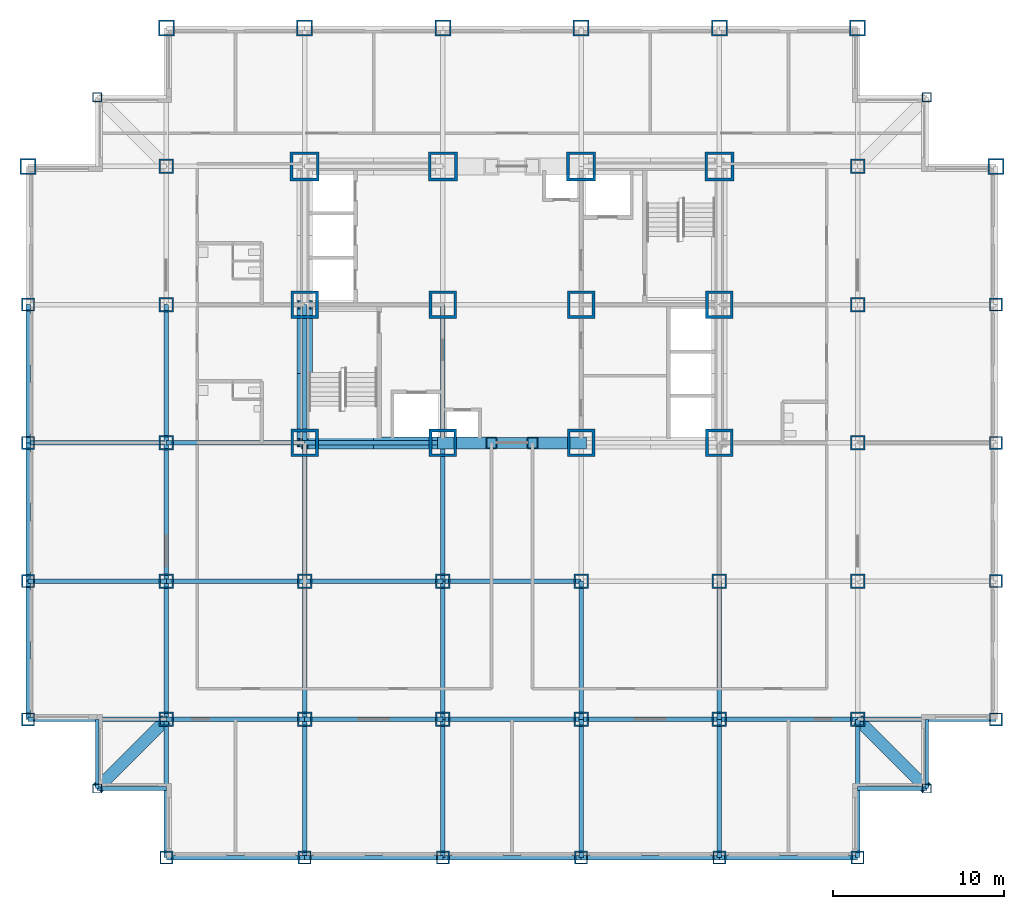
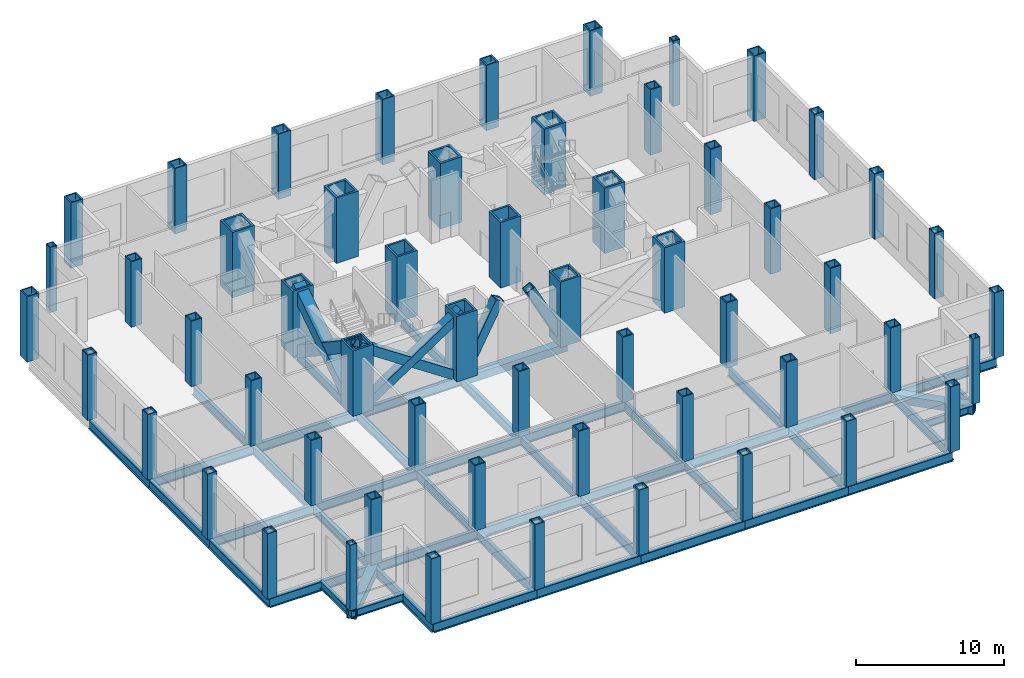
# One storey, part 1 of 10: 56 columns, 46 beams, 6 members.
"""IFC4 building model written with IfcOpenShell, lengths in metres."""

from ifc_helpers import new_model, si_unit, direction, frame, origin, origin_2d, place, context, subcontext, project, spatial, hollow_rectangle, i_section, extrude, material, material_profile, profile_set, type_object, element, save


model = new_model("IFC4")

# Units and contexts
model_context = context("Model", 3, precision=1e-05, world=origin(), true_north=direction((0.0, 1.0)))
body_context = subcontext(model_context, "Body", "Model", "MODEL_VIEW")
ifc_project = project(units=[si_unit("LENGTHUNIT", "METRE"), si_unit("AREAUNIT", "SQUARE_METRE"), si_unit("VOLUMEUNIT", "CUBIC_METRE"), si_unit("PLANEANGLEUNIT", "RADIAN"), si_unit("MASSUNIT", "GRAM", prefix="KILO")], contexts=[model_context])

# Site, building, storey
site_placement = place(None, origin())
site = spatial("IfcSite", under=ifc_project, at=site_placement, CompositionType="ELEMENT")
building_placement = place(site_placement, origin())
building = spatial("IfcBuilding", under=site, at=building_placement, Name="Kopane Lantern Tower", CompositionType="ELEMENT")
storey_placement = place(building_placement, frame((0.0, 0.0, 27.60009765625)))
storey = spatial("IfcBuildingStorey", under=building, at=storey_placement, Name="L05", CompositionType="ELEMENT", Elevation=27.60009765625)

# Columns
ifc_material_1 = material(Name="Steel S355JR", Category="steel")
ifc_material_profile_1 = material_profile(ifc_material_1, hollow_rectangle(XDim=1.60009765625, YDim=1.60009765625, WallThickness=0.14990234375, at=origin_2d()), Name="BOX 1600x1600x150")
ifc_profile_set_1 = profile_set([ifc_material_profile_1], Name="Steel S355JR")
column_type_1 = type_object("IfcColumnType", Name="COLUMN BOX 1600x1600x150", PredefinedType="COLUMN", material=ifc_profile_set_1)
for number, where, z_axis, x_axis, name in (
    (1, (16.199951171875, 24.300048828125, 0.0), (0.0, 0.0, 1.0), (1.0, 0.0, 0.0), "Column 4/E L05"),
    (2, (16.199951171875, 32.39990234375, 0.0), (0.0, 0.0, 1.0), (1.0, 0.0, 0.0), "Column 4/F L05"),
    (3, (24.300048828125, 24.300048828125, 0.0), (0.0, 0.0, 1.0), (1.0, 0.0, 0.0), "Column 5/E L05"),
    (4, (24.300048828125, 32.39990234375, 0.0), (0.0, 0.0, 1.0), (1.0, 0.0, 0.0), "Column 5/F L05"),
    (5, (32.39990234375, 24.300048828125, 0.0), (0.0, 0.0, 1.0), (1.0, 0.0, 0.0), "Column 6/E L05"),
    (6, (32.39990234375, 32.39990234375, 0.0), (0.0, 0.0, 1.0), (1.0, 0.0, 0.0), "Column 6/F L05"),
    (7, (40.5, 24.300048828125, 0.0), (0.0, 0.0, 1.0), (1.0, 0.0, 0.0), "Column 7/E L05"),
    (8, (40.5, 32.39990234375, 0.0), (0.0, 0.0, 1.0), (1.0, 0.0, 0.0), "Column 7/F L05"),
):
    element("IfcColumn", number, at=place(storey_placement, frame(where, z_axis=z_axis, x_axis=x_axis)), inside=storey, type_object=column_type_1, Name=name, PredefinedType="COLUMN", context=body_context, shape_type="SweptSolid", body=[
        extrude(hollow_rectangle(XDim=1.60009765625, YDim=1.60009765625, WallThickness=0.14990234375, at=origin_2d()), origin(), (0.0, 0.0, 1.0), 5.39990234375),
    ])
ifc_material_2 = material(Name="Steel S355JR", Category="steel")
ifc_material_profile_2 = material_profile(ifc_material_2, hollow_rectangle(XDim=1.699951171875, YDim=1.699951171875, WallThickness=0.159912109375, at=origin_2d()), Name="BOX 1700x1700x160")
ifc_profile_set_2 = profile_set([ifc_material_profile_2], Name="Steel S355JR")
column_type_2 = type_object("IfcColumnType", Name="COLUMN BOX 1700x1700x160", PredefinedType="COLUMN", material=ifc_profile_set_2)
for number, where, z_axis, x_axis, name in (
    (9, (16.199951171875, 40.5, 0.0), (0.0, 0.0, 1.0), (1.0, 0.0, 0.0), "Column 4/G L05"),
    (10, (24.300048828125, 40.5, 0.0), (0.0, 0.0, 1.0), (1.0, 0.0, 0.0), "Column 5/G L05"),
    (11, (32.39990234375, 40.5, 0.0), (0.0, 0.0, 1.0), (1.0, 0.0, 0.0), "Column 6/G L05"),
    (12, (40.5, 40.5, 0.0), (0.0, 0.0, 1.0), (1.0, 0.0, 0.0), "Column 7/G L05"),
):
    element("IfcColumn", number, at=place(storey_placement, frame(where, z_axis=z_axis, x_axis=x_axis)), inside=storey, type_object=column_type_2, Name=name, PredefinedType="COLUMN", context=body_context, shape_type="SweptSolid", body=[
        extrude(hollow_rectangle(XDim=1.699951171875, YDim=1.699951171875, WallThickness=0.159912109375, at=origin_2d()), origin(), (0.0, 0.0, 1.0), 5.39990234375),
    ])
ifc_material_3 = material(Name="Steel S355JR", Category="steel")
ifc_material_profile_3 = material_profile(ifc_material_3, hollow_rectangle(XDim=0.550048828125, YDim=0.550048828125, WallThickness=0.050048828125, at=origin_2d()), Name="BOX 550x550x50")
ifc_profile_set_3 = profile_set([ifc_material_profile_3], Name="Steel S355JR")
column_type_3 = type_object("IfcColumnType", Name="COLUMN BOX 550x550x50", PredefinedType="COLUMN", material=ifc_profile_set_3)
for number, where, z_axis, x_axis, name in (
    (13, (4.050048828125, 4.050048828125, 0.0), (0.0, 0.0, 1.0), (1.0, 0.0, 0.0), "Column 4.05/4.05 L05"),
    (14, (4.050048828125, 44.550048828125, 0.0), (0.0, 0.0, 1.0), (1.0, 0.0, 0.0), "Column 4.05/44.55 L05"),
    (15, (52.64990234375, 4.050048828125, 0.0), (0.0, 0.0, 1.0), (1.0, 0.0, 0.0), "Column 52.65/4.05 L05"),
    (16, (52.64990234375, 44.550048828125, 0.0), (0.0, 0.0, 1.0), (1.0, 0.0, 0.0), "Column 52.65/44.55 L05"),
):
    element("IfcColumn", number, at=place(storey_placement, frame(where, z_axis=z_axis, x_axis=x_axis)), inside=storey, type_object=column_type_3, Name=name, PredefinedType="COLUMN", context=body_context, shape_type="SweptSolid", body=[
        extrude(hollow_rectangle(XDim=0.550048828125, YDim=0.550048828125, WallThickness=0.050048828125, at=origin_2d()), origin(), (0.0, 0.0, 1.0), 5.39990234375),
    ])
ifc_material_4 = material(Name="Steel S355JR", Category="steel")
ifc_material_profile_4 = material_profile(ifc_material_4, hollow_rectangle(XDim=0.75, YDim=0.75, WallThickness=0.070068359375, at=origin_2d()), Name="BOX 750x750x70")
ifc_profile_set_4 = profile_set([ifc_material_profile_4], Name="Steel S355JR")
column_type_4 = type_object("IfcColumnType", Name="COLUMN BOX 750x750x70", PredefinedType="COLUMN", material=ifc_profile_set_4)
for number, where, z_axis, x_axis, name in (
    (17, (0.0, 8.10009765625, 0.0), (0.0, 0.0, 1.0), (1.0, 0.0, 0.0), "Column 2/C L05"),
    (18, (0.0, 16.199951171875, 0.0), (0.0, 0.0, 1.0), (1.0, 0.0, 0.0), "Column 2/D L05"),
    (19, (0.0, 24.300048828125, 0.0), (0.0, 0.0, 1.0), (1.0, 0.0, 0.0), "Column 2/E L05"),
    (20, (0.0, 32.39990234375, 0.0), (0.0, 0.0, 1.0), (1.0, 0.0, 0.0), "Column 2/F L05"),
    (21, (8.10009765625, 0.0, 0.0), (0.0, 0.0, 1.0), (1.0, 0.0, 0.0), "Column 3/B L05"),
    (22, (16.199951171875, 0.0, 0.0), (0.0, 0.0, 1.0), (1.0, 0.0, 0.0), "Column 4/B L05"),
    (23, (24.300048828125, 0.0, 0.0), (0.0, 0.0, 1.0), (1.0, 0.0, 0.0), "Column 5/B L05"),
    (24, (32.39990234375, 0.0, 0.0), (0.0, 0.0, 1.0), (1.0, 0.0, 0.0), "Column 6/B L05"),
    (25, (40.5, 0.0, 0.0), (0.0, 0.0, 1.0), (1.0, 0.0, 0.0), "Column 7/B L05"),
    (26, (48.60009765625, 0.0, 0.0), (0.0, 0.0, 1.0), (1.0, 0.0, 0.0), "Column 8/B L05"),
    (27, (56.699951171875, 8.10009765625, 0.0), (0.0, 0.0, 1.0), (1.0, 0.0, 0.0), "Column 9/C L05"),
    (28, (56.699951171875, 16.199951171875, 0.0), (0.0, 0.0, 1.0), (1.0, 0.0, 0.0), "Column 9/D L05"),
    (29, (56.699951171875, 24.300048828125, 0.0), (0.0, 0.0, 1.0), (1.0, 0.0, 0.0), "Column 9/E L05"),
    (30, (56.699951171875, 32.39990234375, 0.0), (0.0, 0.0, 1.0), (1.0, 0.0, 0.0), "Column 9/F L05"),
):
    element("IfcColumn", number, at=place(storey_placement, frame(where, z_axis=z_axis, x_axis=x_axis)), inside=storey, type_object=column_type_4, Name=name, PredefinedType="COLUMN", context=body_context, shape_type="SweptSolid", body=[
        extrude(hollow_rectangle(XDim=0.75, YDim=0.75, WallThickness=0.070068359375, at=origin_2d()), origin(), (0.0, 0.0, 1.0), 5.39990234375),
    ])
ifc_material_5 = material(Name="Steel S355JR", Category="steel")
ifc_material_profile_5 = material_profile(ifc_material_5, hollow_rectangle(XDim=0.85009765625, YDim=0.85009765625, WallThickness=0.0849609375, at=origin_2d()), Name="BOX 850x850x85")
ifc_profile_set_5 = profile_set([ifc_material_profile_5], Name="Steel S355JR")
column_type_5 = type_object("IfcColumnType", Name="COLUMN BOX 850x850x85", PredefinedType="COLUMN", material=ifc_profile_set_5)
for number, where, z_axis, x_axis, name in (
    (31, (8.10009765625, 8.10009765625, 0.0), (0.0, 0.0, 1.0), (1.0, 0.0, 0.0), "Column 3/C L05"),
    (32, (8.10009765625, 16.199951171875, 0.0), (0.0, 0.0, 1.0), (1.0, 0.0, 0.0), "Column 3/D L05"),
    (33, (8.10009765625, 24.300048828125, 0.0), (0.0, 0.0, 1.0), (1.0, 0.0, 0.0), "Column 3/E L05"),
    (34, (8.10009765625, 32.39990234375, 0.0), (0.0, 0.0, 1.0), (1.0, 0.0, 0.0), "Column 3/F L05"),
    (35, (8.10009765625, 40.5, 0.0), (0.0, 0.0, 1.0), (1.0, 0.0, 0.0), "Column 3/G L05"),
    (36, (16.199951171875, 8.10009765625, 0.0), (0.0, 0.0, 1.0), (1.0, 0.0, 0.0), "Column 4/C L05"),
    (37, (16.199951171875, 16.199951171875, 0.0), (0.0, 0.0, 1.0), (1.0, 0.0, 0.0), "Column 4/D L05"),
    (38, (24.300048828125, 8.10009765625, 0.0), (0.0, 0.0, 1.0), (1.0, 0.0, 0.0), "Column 5/C L05"),
    (39, (24.300048828125, 16.199951171875, 0.0), (0.0, 0.0, 1.0), (1.0, 0.0, 0.0), "Column 5/D L05"),
    (40, (32.39990234375, 8.10009765625, 0.0), (0.0, 0.0, 1.0), (1.0, 0.0, 0.0), "Column 6/C L05"),
    (41, (32.39990234375, 16.199951171875, 0.0), (0.0, 0.0, 1.0), (1.0, 0.0, 0.0), "Column 6/D L05"),
    (42, (40.5, 8.10009765625, 0.0), (0.0, 0.0, 1.0), (1.0, 0.0, 0.0), "Column 7/C L05"),
    (43, (40.5, 16.199951171875, 0.0), (0.0, 0.0, 1.0), (1.0, 0.0, 0.0), "Column 7/D L05"),
    (44, (48.60009765625, 8.10009765625, 0.0), (0.0, 0.0, 1.0), (1.0, 0.0, 0.0), "Column 8/C L05"),
    (45, (48.60009765625, 16.199951171875, 0.0), (0.0, 0.0, 1.0), (1.0, 0.0, 0.0), "Column 8/D L05"),
    (46, (48.60009765625, 24.300048828125, 0.0), (0.0, 0.0, 1.0), (1.0, 0.0, 0.0), "Column 8/E L05"),
    (47, (48.60009765625, 32.39990234375, 0.0), (0.0, 0.0, 1.0), (1.0, 0.0, 0.0), "Column 8/F L05"),
    (48, (48.60009765625, 40.5, 0.0), (0.0, 0.0, 1.0), (1.0, 0.0, 0.0), "Column 8/G L05"),
):
    element("IfcColumn", number, at=place(storey_placement, frame(where, z_axis=z_axis, x_axis=x_axis)), inside=storey, type_object=column_type_5, Name=name, PredefinedType="COLUMN", context=body_context, shape_type="SweptSolid", body=[
        extrude(hollow_rectangle(XDim=0.85009765625, YDim=0.85009765625, WallThickness=0.0849609375, at=origin_2d()), origin(), (0.0, 0.0, 1.0), 5.39990234375),
    ])
ifc_material_6 = material(Name="Steel S355JR", Category="steel")
ifc_material_profile_6 = material_profile(ifc_material_6, hollow_rectangle(XDim=0.949951171875, YDim=0.949951171875, WallThickness=0.10009765625, at=origin_2d()), Name="BOX 950x950x100")
ifc_profile_set_6 = profile_set([ifc_material_profile_6], Name="Steel S355JR")
column_type_6 = type_object("IfcColumnType", Name="COLUMN BOX 950x950x100", PredefinedType="COLUMN", material=ifc_profile_set_6)
for number, where, z_axis, x_axis, name in (
    (49, (0.0, 40.5, 0.0), (0.0, 0.0, 1.0), (1.0, 0.0, 0.0), "Column 2/G L05"),
    (50, (8.10009765625, 48.60009765625, 0.0), (0.0, 0.0, 1.0), (1.0, 0.0, 0.0), "Column 3/H L05"),
    (51, (16.199951171875, 48.60009765625, 0.0), (0.0, 0.0, 1.0), (1.0, 0.0, 0.0), "Column 4/H L05"),
    (52, (24.300048828125, 48.60009765625, 0.0), (0.0, 0.0, 1.0), (1.0, 0.0, 0.0), "Column 5/H L05"),
    (53, (32.39990234375, 48.60009765625, 0.0), (0.0, 0.0, 1.0), (1.0, 0.0, 0.0), "Column 6/H L05"),
    (54, (40.5, 48.60009765625, 0.0), (0.0, 0.0, 1.0), (1.0, 0.0, 0.0), "Column 7/H L05"),
    (55, (48.60009765625, 48.60009765625, 0.0), (0.0, 0.0, 1.0), (1.0, 0.0, 0.0), "Column 8/H L05"),
    (56, (56.699951171875, 40.5, 0.0), (0.0, 0.0, 1.0), (1.0, 0.0, 0.0), "Column 9/G L05"),
):
    element("IfcColumn", number, at=place(storey_placement, frame(where, z_axis=z_axis, x_axis=x_axis)), inside=storey, type_object=column_type_6, Name=name, PredefinedType="COLUMN", context=body_context, shape_type="SweptSolid", body=[
        extrude(hollow_rectangle(XDim=0.949951171875, YDim=0.949951171875, WallThickness=0.10009765625, at=origin_2d()), origin(), (0.0, 0.0, 1.0), 5.39990234375),
    ])

# Members
ifc_material_7 = material(Name="Steel S355JR", Category="steel")
ifc_material_profile_7 = material_profile(ifc_material_7, hollow_rectangle(XDim=0.699951171875, YDim=0.699951171875, WallThickness=0.06005859375, at=origin_2d()), Name="BOX 700x700x60")
ifc_profile_set_7 = profile_set([ifc_material_profile_7], Name="Steel S355JR")
member_type_1 = type_object("IfcMemberType", Name="BRACE BOX 700x700x60", PredefinedType="BRACE", material=ifc_profile_set_7)
for number, where, z_axis, x_axis, name in (
    (57, (16.199951171875, 24.300048828125, -0.210205078125), (0.832046436124, 0.0, 0.554705983502), (0.0, 1.0, 0.0), "Core brace L05"),
    (58, (24.300048828125, 24.300048828125, -0.210205078125), (-0.832046436124, 0.0, 0.554705983502), (0.0, -1.0, 0.0), "Core brace L05"),
):
    element("IfcMember", number, at=place(storey_placement, frame(where, z_axis=z_axis, x_axis=x_axis)), inside=storey, type_object=member_type_1, Name=name, PredefinedType="BRACE", context=body_context, shape_type="SweptSolid", body=[
        extrude(hollow_rectangle(XDim=0.699951171875, YDim=0.699951171875, WallThickness=0.06005859375, at=origin_2d()), origin(), (0.0, 0.0, 1.0), 9.735107421875),
    ])
for number, where, z_axis, x_axis, name in (
    (59, (24.300048828125, 24.300048828125, -0.210205078125), (0.466729952651, 0.0, 0.884399882009), (0.0, 1.0, 0.0), "Core brace L05"),
    (60, (32.39990234375, 24.300048828125, -0.210205078125), (-0.466729952651, 0.0, 0.884399882009), (0.0, -1.0, 0.0), "Core brace L05"),
):
    element("IfcMember", number, at=place(storey_placement, frame(where, z_axis=z_axis, x_axis=x_axis)), inside=storey, type_object=member_type_1, Name=name, PredefinedType="BRACE", context=body_context, shape_type="SweptSolid", body=[
        extrude(hollow_rectangle(XDim=0.699951171875, YDim=0.699951171875, WallThickness=0.06005859375, at=origin_2d()), origin(), (0.0, 0.0, 1.0), 6.10595703125),
    ])
ifc_material_8 = material(Name="Steel S355JR", Category="steel")
ifc_material_profile_8 = material_profile(ifc_material_8, hollow_rectangle(XDim=0.89990234375, YDim=0.89990234375, WallThickness=0.090087890625, at=origin_2d()), Name="BOX 900x900x90")
ifc_profile_set_8 = profile_set([ifc_material_profile_8], Name="Steel S355JR")
member_type_2 = type_object("IfcMemberType", Name="BRACE BOX 900x900x90", PredefinedType="BRACE", material=ifc_profile_set_8)
for number, where, z_axis, x_axis, name in (
    (61, (16.199951171875, 24.300048828125, -0.210205078125), (0.0, 0.832038719335, 0.554717558338), (-1.0, 0.0, 0.0), "Core brace L05"),
    (62, (16.199951171875, 32.39990234375, -0.210205078125), (0.0, -0.832038719335, 0.554717558338), (1.0, 0.0, 0.0), "Core brace L05"),
):
    element("IfcMember", number, at=place(storey_placement, frame(where, z_axis=z_axis, x_axis=x_axis)), inside=storey, type_object=member_type_2, Name=name, PredefinedType="BRACE", context=body_context, shape_type="SweptSolid", body=[
        extrude(hollow_rectangle(XDim=0.89990234375, YDim=0.89990234375, WallThickness=0.090087890625, at=origin_2d()), origin(), (0.0, 0.0, 1.0), 9.73486328125),
    ])

# Beams
ifc_material_9 = material(Name="Steel S355JR", Category="steel")
ifc_material_profile_9 = material_profile(ifc_material_9, i_section(OverallWidth=0.2666015625, OverallDepth=0.76220703125, WebThickness=0.014404296875, FlangeThickness=0.021484375, FilletRadius=0.0166015625, at=origin_2d()), Name="UB 762x267x173")
ifc_profile_set_9 = profile_set([ifc_material_profile_9], Name="Steel S355JR")
beam_type_1 = type_object("IfcBeamType", Name="CORE BEAM UB 762x267x173", PredefinedType="BEAM", material=ifc_profile_set_9)
beam_1_placement = place(storey_placement, frame((24.300048828125, 24.300048828125, -0.59130859375), z_axis=(0.0, 1.0, 0.0), x_axis=(-1.0, 0.0, 0.0)))
element("IfcBeam", 63, at=beam_1_placement, inside=storey, type_object=beam_type_1, Name="Core Beam L05", PredefinedType="BEAM", context=body_context, shape_type="SweptSolid", body=[
    extrude(i_section(OverallWidth=0.2666015625, OverallDepth=0.76220703125, WebThickness=0.014404296875, FlangeThickness=0.021484375, FilletRadius=0.0166015625, at=origin_2d()), origin(), (0.0, 0.0, 1.0), 8.099853515625),
])
ifc_material_10 = material(Name="Steel S355JR", Category="steel")
ifc_material_profile_10 = material_profile(ifc_material_10, hollow_rectangle(XDim=0.699951171875, YDim=0.699951171875, WallThickness=0.06005859375, at=origin_2d()), Name="BOX 700x700x60")
ifc_profile_set_10 = profile_set([ifc_material_profile_10], Name="Steel S355JR")
beam_type_2 = type_object("IfcBeamType", Name="CORNER TIE BEAM BOX 700x700x60", PredefinedType="BEAM", material=ifc_profile_set_10)
for number, where, z_axis, x_axis, name in (
    (64, (4.050048828125, 4.050048828125, -0.56005859375), (0.707106781187, 0.707106781187, 0.0), (-0.707106781187, 0.707106781187, 0.0), "Corner Tie Beam L05"),
    (65, (52.64990234375, 4.050048828125, -0.56005859375), (-0.707085467703, 0.707128094028, 0.0), (-0.707128094028, -0.707085467703, 0.0), "Corner Tie Beam L05"),
):
    element("IfcBeam", number, at=place(storey_placement, frame(where, z_axis=z_axis, x_axis=x_axis)), inside=storey, type_object=beam_type_2, Name=name, PredefinedType="BEAM", context=body_context, shape_type="SweptSolid", body=[
        extrude(hollow_rectangle(XDim=0.699951171875, YDim=0.699951171875, WallThickness=0.06005859375, at=origin_2d()), origin(), (0.0, 0.0, 1.0), 5.7275390625),
    ])
ifc_material_11 = material(Name="Steel S355JR", Category="steel")
ifc_material_profile_11 = material_profile(ifc_material_11, i_section(OverallWidth=0.22900390625, OverallDepth=0.6123046875, WebThickness=0.011962890625, FlangeThickness=0.01953125, FilletRadius=0.0126953125, at=origin_2d()), Name="UB 610x229x125")
ifc_profile_set_11 = profile_set([ifc_material_profile_11], Name="Steel S355JR")
beam_type_3 = type_object("IfcBeamType", Name="EDGE BEAM UB 610x229x125", PredefinedType="BEAM", material=ifc_profile_set_11)
for number, where, z_axis, x_axis, name in (
    (66, (4.050048828125, 4.050048828125, -0.51611328125), (0.0, 1.0, 0.0), (-1.0, 0.0, 0.0), "Edge Beam L05"),
    (67, (4.050048828125, 4.050048828125, -0.51611328125), (1.0, 0.0, 0.0), (0.0, 1.0, 0.0), "Edge Beam L05"),
):
    element("IfcBeam", number, at=place(storey_placement, frame(where, z_axis=z_axis, x_axis=x_axis)), inside=storey, type_object=beam_type_3, Name=name, PredefinedType="BEAM", context=body_context, shape_type="SweptSolid", body=[
        extrude(i_section(OverallWidth=0.22900390625, OverallDepth=0.6123046875, WebThickness=0.011962890625, FlangeThickness=0.01953125, FilletRadius=0.0126953125, at=origin_2d()), origin(), (0.0, 0.0, 1.0), 4.050048828125),
    ])
beam_2_placement = place(storey_placement, frame((52.64990234375, 4.050048828125, -0.51611328125), z_axis=(-1.0, 0.0, 0.0), x_axis=(0.0, -1.0, 0.0)))
element("IfcBeam", 68, at=beam_2_placement, inside=storey, type_object=beam_type_3, Name="Edge Beam L05", PredefinedType="BEAM", context=body_context, shape_type="SweptSolid", body=[
    extrude(i_section(OverallWidth=0.22900390625, OverallDepth=0.6123046875, WebThickness=0.011962890625, FlangeThickness=0.01953125, FilletRadius=0.0126953125, at=origin_2d()), origin(), (0.0, 0.0, 1.0), 4.0498046875),
])
beam_3_placement = place(storey_placement, frame((52.64990234375, 4.050048828125, -0.51611328125), z_axis=(0.0, 1.0, 0.0), x_axis=(-1.0, 0.0, 0.0)))
element("IfcBeam", 69, at=beam_3_placement, inside=storey, type_object=beam_type_3, Name="Edge Beam L05", PredefinedType="BEAM", context=body_context, shape_type="SweptSolid", body=[
    extrude(i_section(OverallWidth=0.22900390625, OverallDepth=0.6123046875, WebThickness=0.011962890625, FlangeThickness=0.01953125, FilletRadius=0.0126953125, at=origin_2d()), origin(), (0.0, 0.0, 1.0), 4.050048828125),
])
ifc_material_12 = material(Name="Steel S355JR", Category="steel")
ifc_material_profile_12 = material_profile(ifc_material_12, i_section(OverallWidth=0.2666015625, OverallDepth=0.76220703125, WebThickness=0.014404296875, FlangeThickness=0.021484375, FilletRadius=0.0166015625, at=origin_2d()), Name="UB 762x267x173")
ifc_profile_set_12 = profile_set([ifc_material_profile_12], Name="Steel S355JR")
beam_type_4 = type_object("IfcBeamType", Name="GIRDER UB 762x267x173", PredefinedType="BEAM", material=ifc_profile_set_12)
beam_4_placement = place(storey_placement, frame((0.0, 8.10009765625, -0.59130859375), z_axis=(0.0, 1.0, 0.0), x_axis=(-1.0, 0.0, 0.0)))
element("IfcBeam", 70, at=beam_4_placement, inside=storey, type_object=beam_type_4, Name="Girder L05", PredefinedType="BEAM", context=body_context, shape_type="SweptSolid", body=[
    extrude(i_section(OverallWidth=0.2666015625, OverallDepth=0.76220703125, WebThickness=0.014404296875, FlangeThickness=0.021484375, FilletRadius=0.0166015625, at=origin_2d()), origin(), (0.0, 0.0, 1.0), 8.099853515625),
])
for number, where, z_axis, x_axis, name in (
    (71, (0.0, 8.10009765625, -0.59130859375), (1.0, 0.0, 0.0), (0.0, 1.0, 0.0), "Girder L05"),
    (72, (0.0, 16.199951171875, -0.59130859375), (0.0, 1.0, 0.0), (-1.0, 0.0, 0.0), "Girder L05"),
    (73, (0.0, 16.199951171875, -0.59130859375), (1.0, 0.0, 0.0), (0.0, 1.0, 0.0), "Girder L05"),
):
    element("IfcBeam", number, at=place(storey_placement, frame(where, z_axis=z_axis, x_axis=x_axis)), inside=storey, type_object=beam_type_4, Name=name, PredefinedType="BEAM", context=body_context, shape_type="SweptSolid", body=[
        extrude(i_section(OverallWidth=0.2666015625, OverallDepth=0.76220703125, WebThickness=0.014404296875, FlangeThickness=0.021484375, FilletRadius=0.0166015625, at=origin_2d()), origin(), (0.0, 0.0, 1.0), 8.10009765625),
    ])
beam_5_placement = place(storey_placement, frame((0.0, 24.300048828125, -0.59130859375), z_axis=(0.0, 1.0, 0.0), x_axis=(-1.0, 0.0, 0.0)))
element("IfcBeam", 74, at=beam_5_placement, inside=storey, type_object=beam_type_4, Name="Girder L05", PredefinedType="BEAM", context=body_context, shape_type="SweptSolid", body=[
    extrude(i_section(OverallWidth=0.2666015625, OverallDepth=0.76220703125, WebThickness=0.014404296875, FlangeThickness=0.021484375, FilletRadius=0.0166015625, at=origin_2d()), origin(), (0.0, 0.0, 1.0), 8.099853515625),
])
for number, where, z_axis, x_axis, name in (
    (75, (0.0, 24.300048828125, -0.59130859375), (1.0, 0.0, 0.0), (0.0, 1.0, 0.0), "Girder L05"),
    (76, (8.10009765625, 0.0, -0.59130859375), (0.0, 1.0, 0.0), (-1.0, 0.0, 0.0), "Girder L05"),
):
    element("IfcBeam", number, at=place(storey_placement, frame(where, z_axis=z_axis, x_axis=x_axis)), inside=storey, type_object=beam_type_4, Name=name, PredefinedType="BEAM", context=body_context, shape_type="SweptSolid", body=[
        extrude(i_section(OverallWidth=0.2666015625, OverallDepth=0.76220703125, WebThickness=0.014404296875, FlangeThickness=0.021484375, FilletRadius=0.0166015625, at=origin_2d()), origin(), (0.0, 0.0, 1.0), 8.10009765625),
    ])
for number, where, z_axis, x_axis, name in (
    (77, (8.10009765625, 0.0, -0.59130859375), (1.0, 0.0, 0.0), (0.0, 1.0, 0.0), "Girder L05"),
    (78, (8.10009765625, 8.10009765625, -0.59130859375), (0.0, 1.0, 0.0), (-1.0, 0.0, 0.0), "Girder L05"),
    (79, (8.10009765625, 8.10009765625, -0.59130859375), (1.0, 0.0, 0.0), (0.0, 1.0, 0.0), "Girder L05"),
):
    element("IfcBeam", number, at=place(storey_placement, frame(where, z_axis=z_axis, x_axis=x_axis)), inside=storey, type_object=beam_type_4, Name=name, PredefinedType="BEAM", context=body_context, shape_type="SweptSolid", body=[
        extrude(i_section(OverallWidth=0.2666015625, OverallDepth=0.76220703125, WebThickness=0.014404296875, FlangeThickness=0.021484375, FilletRadius=0.0166015625, at=origin_2d()), origin(), (0.0, 0.0, 1.0), 8.099853515625),
    ])
beam_6_placement = place(storey_placement, frame((8.10009765625, 16.199951171875, -0.59130859375), z_axis=(0.0, 1.0, 0.0), x_axis=(-1.0, 0.0, 0.0)))
element("IfcBeam", 80, at=beam_6_placement, inside=storey, type_object=beam_type_4, Name="Girder L05", PredefinedType="BEAM", context=body_context, shape_type="SweptSolid", body=[
    extrude(i_section(OverallWidth=0.2666015625, OverallDepth=0.76220703125, WebThickness=0.014404296875, FlangeThickness=0.021484375, FilletRadius=0.0166015625, at=origin_2d()), origin(), (0.0, 0.0, 1.0), 8.10009765625),
])
for number, where, z_axis, x_axis, name in (
    (81, (8.10009765625, 16.199951171875, -0.59130859375), (1.0, 0.0, 0.0), (0.0, 1.0, 0.0), "Girder L05"),
    (82, (8.10009765625, 24.300048828125, -0.59130859375), (0.0, 1.0, 0.0), (-1.0, 0.0, 0.0), "Girder L05"),
    (83, (8.10009765625, 24.300048828125, -0.59130859375), (1.0, 0.0, 0.0), (0.0, 1.0, 0.0), "Girder L05"),
):
    element("IfcBeam", number, at=place(storey_placement, frame(where, z_axis=z_axis, x_axis=x_axis)), inside=storey, type_object=beam_type_4, Name=name, PredefinedType="BEAM", context=body_context, shape_type="SweptSolid", body=[
        extrude(i_section(OverallWidth=0.2666015625, OverallDepth=0.76220703125, WebThickness=0.014404296875, FlangeThickness=0.021484375, FilletRadius=0.0166015625, at=origin_2d()), origin(), (0.0, 0.0, 1.0), 8.099853515625),
    ])
for number, where, z_axis, x_axis, name in (
    (84, (16.199951171875, 0.0, -0.59130859375), (0.0, 1.0, 0.0), (-1.0, 0.0, 0.0), "Girder L05"),
    (85, (16.199951171875, 0.0, -0.59130859375), (1.0, 0.0, 0.0), (0.0, 1.0, 0.0), "Girder L05"),
):
    element("IfcBeam", number, at=place(storey_placement, frame(where, z_axis=z_axis, x_axis=x_axis)), inside=storey, type_object=beam_type_4, Name=name, PredefinedType="BEAM", context=body_context, shape_type="SweptSolid", body=[
        extrude(i_section(OverallWidth=0.2666015625, OverallDepth=0.76220703125, WebThickness=0.014404296875, FlangeThickness=0.021484375, FilletRadius=0.0166015625, at=origin_2d()), origin(), (0.0, 0.0, 1.0), 8.10009765625),
    ])
beam_7_placement = place(storey_placement, frame((16.199951171875, 8.10009765625, -0.59130859375), z_axis=(0.0, 1.0, 0.0), x_axis=(-1.0, 0.0, 0.0)))
element("IfcBeam", 86, at=beam_7_placement, inside=storey, type_object=beam_type_4, Name="Girder L05", PredefinedType="BEAM", context=body_context, shape_type="SweptSolid", body=[
    extrude(i_section(OverallWidth=0.2666015625, OverallDepth=0.76220703125, WebThickness=0.014404296875, FlangeThickness=0.021484375, FilletRadius=0.0166015625, at=origin_2d()), origin(), (0.0, 0.0, 1.0), 8.099853515625),
])
for number, where, z_axis, x_axis, name in (
    (87, (16.199951171875, 8.10009765625, -0.59130859375), (1.0, 0.0, 0.0), (0.0, 1.0, 0.0), "Girder L05"),
    (88, (16.199951171875, 16.199951171875, -0.59130859375), (0.0, 1.0, 0.0), (-1.0, 0.0, 0.0), "Girder L05"),
    (89, (16.199951171875, 16.199951171875, -0.59130859375), (1.0, 0.0, 0.0), (0.0, 1.0, 0.0), "Girder L05"),
):
    element("IfcBeam", number, at=place(storey_placement, frame(where, z_axis=z_axis, x_axis=x_axis)), inside=storey, type_object=beam_type_4, Name=name, PredefinedType="BEAM", context=body_context, shape_type="SweptSolid", body=[
        extrude(i_section(OverallWidth=0.2666015625, OverallDepth=0.76220703125, WebThickness=0.014404296875, FlangeThickness=0.021484375, FilletRadius=0.0166015625, at=origin_2d()), origin(), (0.0, 0.0, 1.0), 8.10009765625),
    ])
beam_8_placement = place(storey_placement, frame((16.199951171875, 24.300048828125, -0.59130859375), z_axis=(0.0, 1.0, 0.0), x_axis=(-1.0, 0.0, 0.0)))
element("IfcBeam", 90, at=beam_8_placement, inside=storey, type_object=beam_type_4, Name="Girder L05", PredefinedType="BEAM", context=body_context, shape_type="SweptSolid", body=[
    extrude(i_section(OverallWidth=0.2666015625, OverallDepth=0.76220703125, WebThickness=0.014404296875, FlangeThickness=0.021484375, FilletRadius=0.0166015625, at=origin_2d()), origin(), (0.0, 0.0, 1.0), 8.099853515625),
])
for number, where, z_axis, x_axis, name in (
    (91, (16.199951171875, 24.300048828125, -0.59130859375), (1.0, 0.0, 0.0), (0.0, 1.0, 0.0), "Girder L05"),
    (92, (24.300048828125, 0.0, -0.59130859375), (0.0, 1.0, 0.0), (-1.0, 0.0, 0.0), "Girder L05"),
):
    element("IfcBeam", number, at=place(storey_placement, frame(where, z_axis=z_axis, x_axis=x_axis)), inside=storey, type_object=beam_type_4, Name=name, PredefinedType="BEAM", context=body_context, shape_type="SweptSolid", body=[
        extrude(i_section(OverallWidth=0.2666015625, OverallDepth=0.76220703125, WebThickness=0.014404296875, FlangeThickness=0.021484375, FilletRadius=0.0166015625, at=origin_2d()), origin(), (0.0, 0.0, 1.0), 8.10009765625),
    ])
for number, where, z_axis, x_axis, name in (
    (93, (24.300048828125, 0.0, -0.59130859375), (1.0, 0.0, 0.0), (0.0, 1.0, 0.0), "Girder L05"),
    (94, (24.300048828125, 8.10009765625, -0.59130859375), (0.0, 1.0, 0.0), (-1.0, 0.0, 0.0), "Girder L05"),
    (95, (24.300048828125, 8.10009765625, -0.59130859375), (1.0, 0.0, 0.0), (0.0, 1.0, 0.0), "Girder L05"),
):
    element("IfcBeam", number, at=place(storey_placement, frame(where, z_axis=z_axis, x_axis=x_axis)), inside=storey, type_object=beam_type_4, Name=name, PredefinedType="BEAM", context=body_context, shape_type="SweptSolid", body=[
        extrude(i_section(OverallWidth=0.2666015625, OverallDepth=0.76220703125, WebThickness=0.014404296875, FlangeThickness=0.021484375, FilletRadius=0.0166015625, at=origin_2d()), origin(), (0.0, 0.0, 1.0), 8.099853515625),
    ])
beam_9_placement = place(storey_placement, frame((24.300048828125, 16.199951171875, -0.59130859375), z_axis=(0.0, 1.0, 0.0), x_axis=(-1.0, 0.0, 0.0)))
element("IfcBeam", 96, at=beam_9_placement, inside=storey, type_object=beam_type_4, Name="Girder L05", PredefinedType="BEAM", context=body_context, shape_type="SweptSolid", body=[
    extrude(i_section(OverallWidth=0.2666015625, OverallDepth=0.76220703125, WebThickness=0.014404296875, FlangeThickness=0.021484375, FilletRadius=0.0166015625, at=origin_2d()), origin(), (0.0, 0.0, 1.0), 8.10009765625),
])
beam_10_placement = place(storey_placement, frame((24.300048828125, 16.199951171875, -0.59130859375), z_axis=(1.0, 0.0, 0.0), x_axis=(0.0, 1.0, 0.0)))
element("IfcBeam", 97, at=beam_10_placement, inside=storey, type_object=beam_type_4, Name="Girder L05", PredefinedType="BEAM", context=body_context, shape_type="SweptSolid", body=[
    extrude(i_section(OverallWidth=0.2666015625, OverallDepth=0.76220703125, WebThickness=0.014404296875, FlangeThickness=0.021484375, FilletRadius=0.0166015625, at=origin_2d()), origin(), (0.0, 0.0, 1.0), 8.099853515625),
])
for number, where, z_axis, x_axis, name in (
    (98, (32.39990234375, 0.0, -0.59130859375), (0.0, 1.0, 0.0), (-1.0, 0.0, 0.0), "Girder L05"),
    (99, (32.39990234375, 0.0, -0.59130859375), (1.0, 0.0, 0.0), (0.0, 1.0, 0.0), "Girder L05"),
):
    element("IfcBeam", number, at=place(storey_placement, frame(where, z_axis=z_axis, x_axis=x_axis)), inside=storey, type_object=beam_type_4, Name=name, PredefinedType="BEAM", context=body_context, shape_type="SweptSolid", body=[
        extrude(i_section(OverallWidth=0.2666015625, OverallDepth=0.76220703125, WebThickness=0.014404296875, FlangeThickness=0.021484375, FilletRadius=0.0166015625, at=origin_2d()), origin(), (0.0, 0.0, 1.0), 8.10009765625),
    ])
beam_11_placement = place(storey_placement, frame((32.39990234375, 8.10009765625, -0.59130859375), z_axis=(0.0, 1.0, 0.0), x_axis=(-1.0, 0.0, 0.0)))
element("IfcBeam", 100, at=beam_11_placement, inside=storey, type_object=beam_type_4, Name="Girder L05", PredefinedType="BEAM", context=body_context, shape_type="SweptSolid", body=[
    extrude(i_section(OverallWidth=0.2666015625, OverallDepth=0.76220703125, WebThickness=0.014404296875, FlangeThickness=0.021484375, FilletRadius=0.0166015625, at=origin_2d()), origin(), (0.0, 0.0, 1.0), 8.099853515625),
])
for number, where, z_axis, x_axis, name in (
    (101, (32.39990234375, 8.10009765625, -0.59130859375), (1.0, 0.0, 0.0), (0.0, 1.0, 0.0), "Girder L05"),
    (102, (40.5, 0.0, -0.59130859375), (0.0, 1.0, 0.0), (-1.0, 0.0, 0.0), "Girder L05"),
    (103, (40.5, 0.0, -0.59130859375), (1.0, 0.0, 0.0), (0.0, 1.0, 0.0), "Girder L05"),
):
    element("IfcBeam", number, at=place(storey_placement, frame(where, z_axis=z_axis, x_axis=x_axis)), inside=storey, type_object=beam_type_4, Name=name, PredefinedType="BEAM", context=body_context, shape_type="SweptSolid", body=[
        extrude(i_section(OverallWidth=0.2666015625, OverallDepth=0.76220703125, WebThickness=0.014404296875, FlangeThickness=0.021484375, FilletRadius=0.0166015625, at=origin_2d()), origin(), (0.0, 0.0, 1.0), 8.10009765625),
    ])
beam_12_placement = place(storey_placement, frame((40.5, 8.10009765625, -0.59130859375), z_axis=(0.0, 1.0, 0.0), x_axis=(-1.0, 0.0, 0.0)))
element("IfcBeam", 104, at=beam_12_placement, inside=storey, type_object=beam_type_4, Name="Girder L05", PredefinedType="BEAM", context=body_context, shape_type="SweptSolid", body=[
    extrude(i_section(OverallWidth=0.2666015625, OverallDepth=0.76220703125, WebThickness=0.014404296875, FlangeThickness=0.021484375, FilletRadius=0.0166015625, at=origin_2d()), origin(), (0.0, 0.0, 1.0), 8.099853515625),
])
for number, where, z_axis, x_axis, name in (
    (105, (40.5, 8.10009765625, -0.59130859375), (1.0, 0.0, 0.0), (0.0, 1.0, 0.0), "Girder L05"),
    (106, (48.60009765625, 0.0, -0.59130859375), (0.0, 1.0, 0.0), (-1.0, 0.0, 0.0), "Girder L05"),
):
    element("IfcBeam", number, at=place(storey_placement, frame(where, z_axis=z_axis, x_axis=x_axis)), inside=storey, type_object=beam_type_4, Name=name, PredefinedType="BEAM", context=body_context, shape_type="SweptSolid", body=[
        extrude(i_section(OverallWidth=0.2666015625, OverallDepth=0.76220703125, WebThickness=0.014404296875, FlangeThickness=0.021484375, FilletRadius=0.0166015625, at=origin_2d()), origin(), (0.0, 0.0, 1.0), 8.10009765625),
    ])
beam_13_placement = place(storey_placement, frame((48.60009765625, 8.10009765625, -0.59130859375), z_axis=(1.0, 0.0, 0.0), x_axis=(0.0, 1.0, 0.0)))
element("IfcBeam", 107, at=beam_13_placement, inside=storey, type_object=beam_type_4, Name="Girder L05", PredefinedType="BEAM", context=body_context, shape_type="SweptSolid", body=[
    extrude(i_section(OverallWidth=0.2666015625, OverallDepth=0.76220703125, WebThickness=0.014404296875, FlangeThickness=0.021484375, FilletRadius=0.0166015625, at=origin_2d()), origin(), (0.0, 0.0, 1.0), 8.099853515625),
])
ifc_material_13 = material(Name="Steel S355JR", Category="steel")
ifc_material_profile_13 = material_profile(ifc_material_13, hollow_rectangle(XDim=0.64990234375, YDim=0.64990234375, WallThickness=0.070068359375, at=origin_2d()), Name="BOX 650x650x70")
ifc_profile_set_13 = profile_set([ifc_material_profile_13], Name="Steel S355JR")
beam_type_5 = type_object("IfcBeamType", Name="LINK BEAM BOX 650x650x70", PredefinedType="BEAM", material=ifc_profile_set_13)
beam_14_placement = place(storey_placement, frame((24.300048828125, 24.300048828125, -0.53515625), z_axis=(1.0, 0.0, 0.0), x_axis=(0.0, 1.0, 0.0)))
element("IfcBeam", 108, at=beam_14_placement, inside=storey, type_object=beam_type_5, Name="Link Beam L05", PredefinedType="BEAM", context=body_context, shape_type="SweptSolid", body=[
    extrude(hollow_rectangle(XDim=0.64990234375, YDim=0.64990234375, WallThickness=0.070068359375, at=origin_2d()), origin(), (0.0, 0.0, 1.0), 8.099853515625),
])

save(model, "model.ifc")
